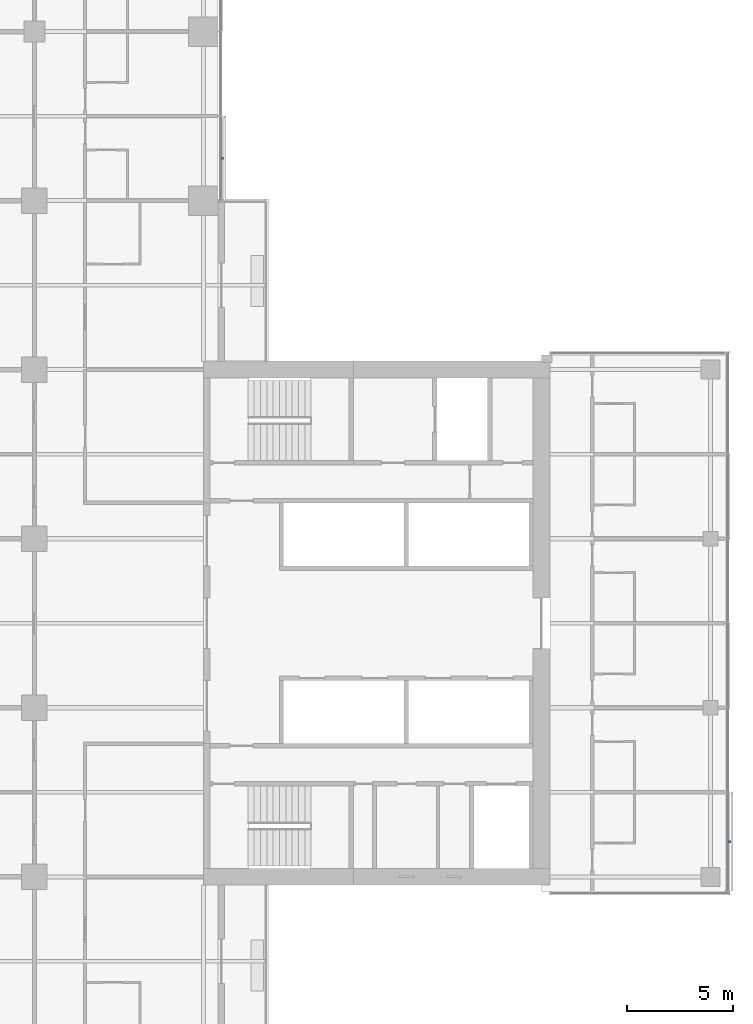
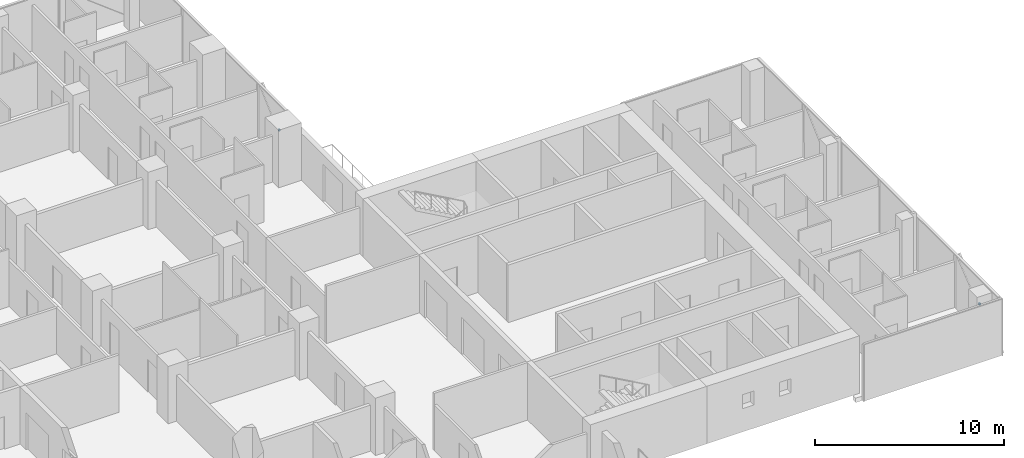
# One storey, part 27 of 29: 2 discrete accessories.
"""IFC4 building model written with IfcOpenShell, lengths in metres."""

from ifc_helpers import new_model, si_unit, direction, frame, origin, origin_2d, place, context, subcontext, project, spatial, rectangle, extrude, material, type_object, element, save


model = new_model("IFC4")

# Units and contexts
model_context = context("Model", 3, precision=1e-05, world=origin(), true_north=direction((0.0, 1.0)))
body_context = subcontext(model_context, "Body", "Model", "MODEL_VIEW")
ifc_project = project(units=[si_unit("LENGTHUNIT", "METRE"), si_unit("AREAUNIT", "SQUARE_METRE"), si_unit("VOLUMEUNIT", "CUBIC_METRE"), si_unit("PLANEANGLEUNIT", "RADIAN"), si_unit("MASSUNIT", "GRAM", prefix="KILO")], contexts=[model_context])

# Site, building, storey
site_placement = place(None, origin())
site = spatial("IfcSite", under=ifc_project, at=site_placement, CompositionType="ELEMENT")
building_placement = place(site_placement, origin())
building = spatial("IfcBuilding", under=site, at=building_placement, Name="Crosswind Convention Tower", CompositionType="ELEMENT")
storey_placement = place(building_placement, frame((0.0, 0.0, 57.199951171875)))
storey = spatial("IfcBuildingStorey", under=building, at=storey_placement, Name="L08", CompositionType="ELEMENT", Elevation=57.199951171875)

# Discrete accessories
ifc_material = material(Name="Stainless steel", Category="steel")
discrete_accessory_type = type_object("IfcDiscreteAccessoryType", Name="BAGUETTE BRACKET BK2", PredefinedType="BRACKET", material=ifc_material)
for number, where, z_axis, x_axis, name in (
    (1, (161.907958984375, 89.666259765625, 1.4775390625), (0.0, 0.0, 1.0), (0.0, 1.0, 0.0), "BK2 baguette bracket"),
    (2, (137.907958984375, 122.0, 1.4775390625), (0.0, 0.0, 1.0), (0.0, 1.0, 0.0), "BK2 baguette bracket"),
):
    element("IfcDiscreteAccessory", number, at=place(storey_placement, frame(where, z_axis=z_axis, x_axis=x_axis)), inside=storey, type_object=discrete_accessory_type, Name=name, PredefinedType="BRACKET", context=body_context, shape_type="SweptSolid", body=[
        extrude(rectangle(XDim=0.1201171875, YDim=0.10009765625, at=origin_2d()), origin(), (0.0, 0.0, 1.0), 0.1201171875),
    ])

save(model, "model.ifc")
